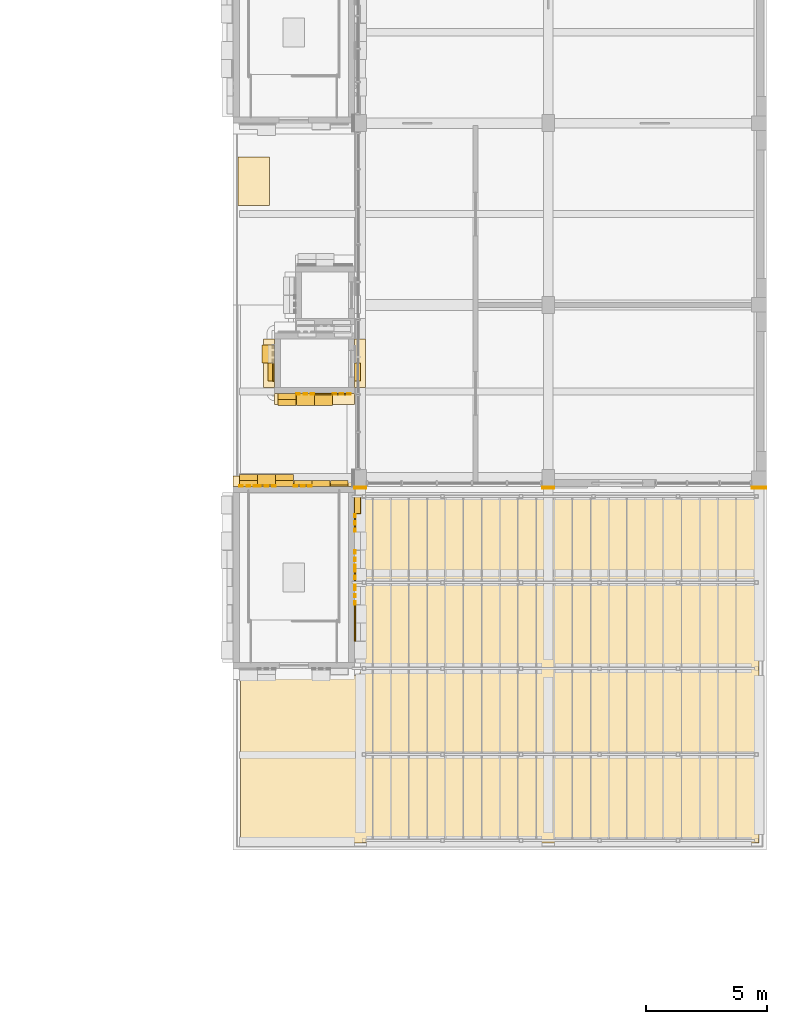
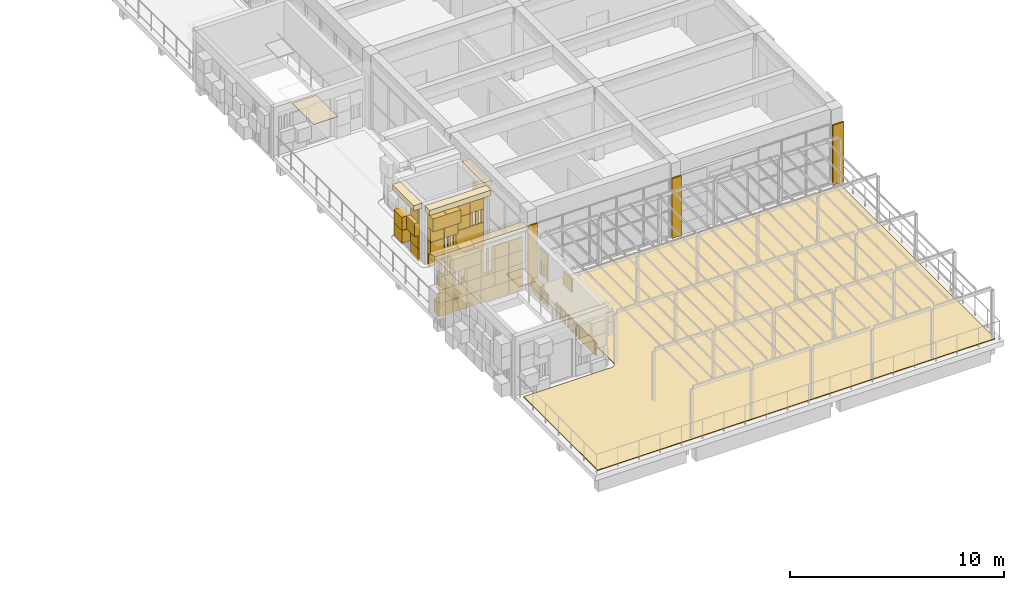
# One storey, part 21 of 26: 26 coverings.
"""IFC4 building model written with IfcOpenShell, lengths in metres."""

import ifcopenshell
import ifcopenshell.guid

model = None  # the IFC model being written
_history = None  # IfcOwnerHistory: only IFC2X3 demands one
_inside = {}  # id of a spatial element -> (the spatial element, [elements in it])
_under = {}  # id of a project, library or spatial element -> (it, [spatial elements below it])
_declared = {}  # id of a project -> (the project, [libraries it declares])
_typed = {}  # id of a type object -> (the type object, [elements of that type])
_made_of = {}  # id of a material, layer set ... -> (it, [elements and type objects made of it])


def new_model(schema):
    """Start an empty IFC model of exactly this schema.

    Asked for "IFC4X3", IfcOpenShell would pick the latest addendum, in which some entities
    have other attributes; the version numbers below select the first issue.
    IFC2X3 requires an IfcOwnerHistory on every rooted entity: one is made here for all.
    """
    global model, _history
    if schema == "IFC4X3":
        model = ifcopenshell.file(schema_version=(4, 3, 0, 0))
    else:
        model = ifcopenshell.file(schema=schema)
    _inside.clear()
    _under.clear()
    _declared.clear()
    _typed.clear()
    _made_of.clear()
    _history = None
    if model.schema == "IFC2X3":
        org = make("IfcOrganization", Name="unknown")
        user = make(
            "IfcPersonAndOrganization",
            ThePerson=make("IfcPerson", FamilyName="unknown"),
            TheOrganization=org,
        )
        app = make(
            "IfcApplication",
            ApplicationDeveloper=org,
            Version="unknown",
            ApplicationFullName="unknown",
            ApplicationIdentifier="unknown",
        )
        _history = make(
            "IfcOwnerHistory",
            OwningUser=user,
            OwningApplication=app,
            ChangeAction="ADDED",
            CreationDate=0,
        )
    return model


def make(cls, **values):
    """One entity of the class cls with the attributes given. An attribute that is None is left unset."""
    return model.create_entity(
        cls, **{name: value for name, value in values.items() if value is not None}
    )


def rooted(cls, **values):
    """An entity with a GlobalId (a new one), such as an element, a storey or a relation."""
    return make(cls, GlobalId=ifcopenshell.guid.new(), OwnerHistory=_history, **values)


def si_unit(unit_type, name, prefix=None):
    """IfcSIUnit, for example si_unit("LENGTHUNIT", "METRE", prefix="MILLI")."""
    return make("IfcSIUnit", UnitType=unit_type, Prefix=prefix, Name=name)


def assignment(units):
    """IfcUnitAssignment: the units of a project."""
    return None if units is None else make("IfcUnitAssignment", Units=units)


def point(xyz):
    """IfcCartesianPoint."""
    return None if xyz is None else make("IfcCartesianPoint", Coordinates=xyz)


def direction(xyz):
    """IfcDirection."""
    return None if xyz is None else make("IfcDirection", DirectionRatios=xyz)


def frame(location, z_axis=None, x_axis=None):
    """IfcAxis2Placement3D, a coordinate frame: its origin and axes. An axis left out is left unset."""
    return make(
        "IfcAxis2Placement3D",
        Location=point(location),
        Axis=direction(z_axis),
        RefDirection=direction(x_axis),
    )


def frame_2d(location, x_axis=None):
    """IfcAxis2Placement2D, a coordinate frame in the plane: its origin and x axis."""
    return make(
        "IfcAxis2Placement2D", Location=point(location), RefDirection=direction(x_axis)
    )


def origin():
    """The frame at (0, 0, 0) with its axes left unset."""
    return frame((0.0, 0.0, 0.0))


def origin_2d():
    """The frame at (0, 0) in the plane with its x axis left unset."""
    return frame_2d((0.0, 0.0))


def place(relative_to, where):
    """IfcLocalPlacement: puts the frame where relative to a parent placement (None: the world)."""
    return make(
        "IfcLocalPlacement", PlacementRelTo=relative_to, RelativePlacement=where
    )


def context(
    kind, dimensions, precision=None, world=None, true_north=None, identifier=None
):
    """IfcGeometricRepresentationContext, for example the 3D "Model" context."""
    return make(
        "IfcGeometricRepresentationContext",
        ContextIdentifier=identifier,
        ContextType=kind,
        CoordinateSpaceDimension=dimensions,
        Precision=precision,
        WorldCoordinateSystem=world,
        TrueNorth=true_north,
    )


def subcontext(parent, identifier, kind, view, scale=None):
    """IfcGeometricRepresentationSubContext, for example "Body" below "Model"."""
    return make(
        "IfcGeometricRepresentationSubContext",
        ContextIdentifier=identifier,
        ContextType=kind,
        ParentContext=parent,
        TargetScale=scale,
        TargetView=view,
    )


def project(units=None, contexts=None):
    """IfcProject with its units and contexts."""
    return rooted(
        "IfcProject",
        Name="project",
        RepresentationContexts=contexts,
        UnitsInContext=assignment(units),
    )


def spatial(cls, under=None, at=None, **own):
    """A site, building, storey or space (cls), placed at a placement, below another one or the project."""
    s = rooted(cls, ObjectPlacement=at, **own)
    if under is not None:
        _under.setdefault(under.id(), (under, []))[1].append(s)
    return s


def polyline(points):
    """IfcPolyline through the points."""
    return make("IfcPolyline", Points=[point(p) for p in points])


def profile(cls, at=None, kind="AREA", **sizes):
    """A parametric profile (cls). Its sizes go by their IFC names, for example OverallWidth=200.0."""
    return make(cls, ProfileType=kind, Position=at, **sizes)


def rectangle(**sizes):
    """IfcRectangleProfileDef."""
    return profile("IfcRectangleProfileDef", **sizes)


def outline(outer, holes=None, kind="AREA"):
    """IfcArbitraryClosedProfileDef: a profile drawn as a closed curve; with holes, ...WithVoids."""
    if holes is None:
        return make("IfcArbitraryClosedProfileDef", ProfileType=kind, OuterCurve=outer)
    return make(
        "IfcArbitraryProfileDefWithVoids",
        ProfileType=kind,
        OuterCurve=outer,
        InnerCurves=holes,
    )


def extrude(swept, where, along, depth):
    """IfcExtrudedAreaSolid: the profile swept, set in the frame where, extruded along a direction by depth."""
    return make(
        "IfcExtrudedAreaSolid",
        SweptArea=swept,
        Position=where,
        ExtrudedDirection=direction(along),
        Depth=depth,
    )


def shape(context_of_items, identifier, shape_type, items):
    """IfcShapeRepresentation: the items that make up one representation, for example the "Body"."""
    return make(
        "IfcShapeRepresentation",
        ContextOfItems=context_of_items,
        RepresentationIdentifier=identifier,
        RepresentationType=shape_type,
        Items=items,
    )


def material(Name=None, Category=None):
    """IfcMaterial."""
    return make("IfcMaterial", Name=Name, Category=Category)


def layer(
    of_material, thickness, ventilated=None, Name=None, Category=None, Priority=None
):
    """IfcMaterialLayer: one layer of a wall or slab, of a material (None: an air gap)."""
    return make(
        "IfcMaterialLayer",
        Material=of_material,
        LayerThickness=thickness,
        IsVentilated=ventilated,
        Name=Name,
        Category=Category,
        Priority=Priority,
    )


def layer_set(layers, Name=None):
    """IfcMaterialLayerSet."""
    return make("IfcMaterialLayerSet", MaterialLayers=layers, LayerSetName=Name)


def made_of(thing, what):
    """Note that an element or type object is made of a material, layer set ...; save() writes the relation."""
    if what is not None:
        _made_of.setdefault(what.id(), (what, []))[1].append(thing)
    return thing


def type_object(cls, material=None, **own):
    """A type object (cls), such as IfcWallType, which elements share."""
    return made_of(rooted(cls, **own), material)


def element(
    cls,
    number,
    at=None,
    inside=None,
    cuts=None,
    type_object=None,
    material=None,
    context=None,
    identifier="Body",
    shape_type=None,
    held_by="IfcProductDefinitionShape",
    body=None,
    shapes=None,
    **own,
):
    """One element of the class cls, such as IfcWall. Its Tag is "e" and its number.

    at: its placement. inside: the storey or other place that contains it. cuts: it is an
    opening in that element (IfcRelVoidsElement). A single representation is given by context,
    identifier, shape_type and body (its items); several are given by shapes. held_by: the class
    of the entity that holds the representations. save() writes the other relations.
    """
    e = rooted(cls, Tag="e%d" % number, ObjectPlacement=at, **own)
    if body is not None:
        shapes = [shape(context, identifier, shape_type, body)]
    if shapes is not None:
        e.Representation = make(held_by, Representations=shapes)
    if inside is not None:
        _inside.setdefault(inside.id(), (inside, []))[1].append(e)
    if cuts is not None:
        rooted(
            "IfcRelVoidsElement", RelatingBuildingElement=cuts, RelatedOpeningElement=e
        )
    if type_object is not None:
        _typed.setdefault(type_object.id(), (type_object, []))[1].append(e)
    return made_of(e, material)


def aggregate(whole, parts):
    """IfcRelAggregates: a whole, such as a stair, and the parts it consists of."""
    return rooted("IfcRelAggregates", RelatingObject=whole, RelatedObjects=parts)


def save(model, path):
    """Write the relations noted so far, then the file.

    IfcRelAggregates (storeys below a building ...), IfcRelContainedInSpatialStructure (elements
    in a storey), IfcRelDefinesByType, IfcRelAssociatesMaterial and IfcRelDeclares: one each for
    every whole, place, type object, material and project.
    """
    for whole, parts in _under.values():
        aggregate(whole, parts)
    for where, things in _inside.values():
        rooted(
            "IfcRelContainedInSpatialStructure",
            RelatedElements=things,
            RelatingStructure=where,
        )
    for kind, things in _typed.values():
        rooted("IfcRelDefinesByType", RelatedObjects=things, RelatingType=kind)
    for what, things in _made_of.values():
        rooted("IfcRelAssociatesMaterial", RelatedObjects=things, RelatingMaterial=what)
    for by, libraries in _declared.values():
        rooted("IfcRelDeclares", RelatingContext=by, RelatedDefinitions=libraries)
    model.write(path)


model = new_model("IFC4")

# Units and contexts
model_context = context("Model", 3, precision=1e-05, world=origin(), true_north=direction((0.0, 1.0)))
body_context = subcontext(model_context, "Body", "Model", "MODEL_VIEW")
ifc_project = project(units=[si_unit("LENGTHUNIT", "METRE"), si_unit("AREAUNIT", "SQUARE_METRE"), si_unit("VOLUMEUNIT", "CUBIC_METRE"), si_unit("PLANEANGLEUNIT", "RADIAN"), si_unit("MASSUNIT", "GRAM", prefix="KILO")], contexts=[model_context])

# Site, building, storey
site_placement = place(None, origin())
site = spatial("IfcSite", under=ifc_project, at=site_placement, CompositionType="ELEMENT")
building_placement = place(site_placement, origin())
building = spatial("IfcBuilding", under=site, at=building_placement, Name="Sun Court Science Centre", CompositionType="ELEMENT")
storey_placement = place(building_placement, frame((0.0, 0.0, 29.25)))
storey = spatial("IfcBuildingStorey", under=building, at=storey_placement, Name="L06", CompositionType="ELEMENT", Elevation=29.25)

# Coverings
ifc_material_1 = material(Name="Gypsum board")
ifc_layer_1 = layer(ifc_material_1, 0.030029296875)
ifc_layer_set_1 = layer_set([ifc_layer_1], Name="Gypsum board")
covering_type_1 = type_object("IfcCoveringType", Name="Ceiling suspended 600 module", PredefinedType="CEILING", material=ifc_layer_set_1)
covering_1_placement = place(storey_placement, frame((0.0, 0.0, 3.77001953125)))
element("IfcCovering", 1, at=covering_1_placement, inside=storey, type_object=covering_type_1, Name="L06-011 ceiling", PredefinedType="CEILING", context=body_context, shape_type="SweptSolid", body=[
    extrude(outline(polyline([(83.5, 57.10009765625), (83.5, 55.10009765625), (82.199951171875, 55.10009765625), (82.199951171875, 57.10009765625), (83.5, 57.10009765625)])), origin(), (0.0, 0.0, 1.0), 0.030029296875),
])
ifc_material_2 = material(Name="Red sandstone", Category="masonry")
ifc_layer_2 = layer(ifc_material_2, 0.080078125)
ifc_layer_set_2 = layer_set([ifc_layer_2], Name="Red sandstone")
covering_type_2 = type_object("IfcCoveringType", Name="Red sandstone pier cladding", PredefinedType="CLADDING", material=ifc_layer_set_2)
covering_2_placement = place(storey_placement, frame((0.0, 0.0, -29.25)))
element("IfcCovering", 2, at=covering_2_placement, inside=storey, type_object=covering_type_2, Name="Red sandstone pier cladding observatory south face L06", PredefinedType="CLADDING", context=body_context, shape_type="SweptSolid", body=[
    extrude(rectangle(XDim=0.60009765625, YDim=0.080078125, at=origin_2d()), frame((103.699951171875, 43.4599609375, 29.25), z_axis=(0.0, 0.0, 1.0), x_axis=(-1.0, 0.0, 0.0)), (0.0, 0.0, 1.0), 3.39990234375),
    extrude(rectangle(XDim=0.5, YDim=0.080078125, at=origin_2d()), frame((95.0, 43.4599609375, 29.25), z_axis=(0.0, 0.0, 1.0), x_axis=(-1.0, 0.0, 0.0)), (0.0, 0.0, 1.0), 3.39990234375),
    extrude(rectangle(XDim=0.5, YDim=0.080078125, at=origin_2d()), frame((87.25, 43.4599609375, 29.25), z_axis=(0.0, 0.0, 1.0), x_axis=(-1.0, 0.0, 0.0)), (0.0, 0.0, 1.0), 3.39990234375),
])
ifc_material_3 = material(Name="Sandstone paving", Category="masonry")
ifc_layer_3 = layer(ifc_material_3, 0.0400390625)
ifc_layer_set_3 = layer_set([ifc_layer_3], Name="Sandstone paving")
covering_type_3 = type_object("IfcCoveringType", Name="Terrace paving 40", PredefinedType="FLOORING", material=ifc_layer_set_3)
covering_3_placement = place(storey_placement, origin())
element("IfcCovering", 3, at=covering_3_placement, inside=storey, type_object=covering_type_3, Name="Observatory terrace paving", PredefinedType="FLOORING", context=body_context, shape_type="SweptSolid", body=[
    extrude(outline(polyline([(82.300048828125, 28.800048828125), (82.300048828125, 35.699951171875), (87.0, 35.699951171875), (87.029296875, 35.701416015625), (87.05859375, 35.705810546875), (87.087158203125, 35.712890625), (87.11474609375, 35.722900390625), (87.141357421875, 35.7353515625), (87.166748046875, 35.75048828125), (87.1904296875, 35.76806640625), (87.212158203125, 35.787841796875), (87.23193359375, 35.8095703125), (87.24951171875, 35.833251953125), (87.2646484375, 35.858642578125), (87.277099609375, 35.88525390625), (87.287109375, 35.912841796875), (87.294189453125, 35.94140625), (87.298583984375, 35.970703125), (87.300048828125, 36.0), (87.300048828125, 43.18994140625), (103.699951171875, 43.18994140625), (103.699951171875, 28.800048828125), (82.300048828125, 28.800048828125)])), origin(), (0.0, 0.0, 1.0), 0.0400390625),
])
ifc_material_4 = material(Name="Terracotta panel", Category="masonry")
ifc_layer_4 = layer(ifc_material_4, 0.449951171875)
ifc_layer_set_4 = layer_set([ifc_layer_4], Name="Terracotta panel")
covering_type_4 = type_object("IfcCoveringType", Name="Terracotta cornice 450", PredefinedType="CLADDING", material=ifc_layer_set_4)
covering_4_placement = place(storey_placement, frame((0.0, 0.0, -29.25)))
element("IfcCovering", 4, at=covering_4_placement, inside=storey, type_object=covering_type_4, Name="Terracotta cornice east face of core L06", PredefinedType="CLADDING", context=body_context, shape_type="SweptSolid", body=[
    extrude(rectangle(XDim=2.0, YDim=0.449951171875, at=origin_2d()), frame((87.22509765625, 48.60009765625, 32.2998046875), z_axis=(0.0, 0.0, 1.0), x_axis=(0.0, -1.0, 0.0)), (0.0, 0.0, 1.0), 0.300048828125),
])
covering_5_placement = place(storey_placement, frame((0.0, 0.0, -29.25)))
element("IfcCovering", 5, at=covering_5_placement, inside=storey, type_object=covering_type_4, Name="Terracotta cornice south face of core L06", PredefinedType="CLADDING", context=body_context, shape_type="SweptSolid", body=[
    extrude(rectangle(XDim=3.300048828125, YDim=0.449951171875, at=origin_2d()), frame((85.35009765625, 47.125, 32.2998046875), z_axis=(0.0, 0.0, 1.0), x_axis=(-1.0, 0.0, 0.0)), (0.0, 0.0, 1.0), 0.300048828125),
])
covering_6_placement = place(storey_placement, frame((0.0, 0.0, -29.25)))
element("IfcCovering", 6, at=covering_6_placement, inside=storey, type_object=covering_type_4, Name="Terracotta cornice west face of core L06", PredefinedType="CLADDING", context=body_context, shape_type="SweptSolid", body=[
    extrude(rectangle(XDim=2.0, YDim=0.449951171875, at=origin_2d()), frame((83.47509765625, 48.60009765625, 32.2998046875), z_axis=(0.0, 0.0, 1.0), x_axis=(0.0, 1.0, 0.0)), (0.0, 0.0, 1.0), 0.300048828125),
])
covering_7_placement = place(storey_placement, frame((0.0, 0.0, -29.25)))
element("IfcCovering", 7, at=covering_7_placement, inside=storey, type_object=covering_type_4, Name="Terracotta cornice north face of core L06", PredefinedType="CLADDING", context=body_context, shape_type="SweptSolid", body=[
    extrude(rectangle(XDim=5.0, YDim=0.449951171875, at=origin_2d()), frame((84.5, 43.72509765625, 32.2998046875), z_axis=(0.0, 0.0, 1.0), x_axis=(1.0, 0.0, 0.0)), (0.0, 0.0, 1.0), 0.300048828125),
])
ifc_material_5 = material(Name="Terracotta jali", Category="masonry")
ifc_layer_5 = layer(ifc_material_5, 0.06005859375)
ifc_layer_set_5 = layer_set([ifc_layer_5], Name="Terracotta jali")
covering_type_5 = type_object("IfcCoveringType", Name="Terracotta open jali panel", PredefinedType="CLADDING", material=ifc_layer_set_5)
covering_8_placement = place(storey_placement, frame((0.0, 0.0, -29.25)))
element("IfcCovering", 8, at=covering_8_placement, inside=storey, type_object=covering_type_5, Name="Open jali pixel cladding south face of core L06", PredefinedType="CLADDING", context=body_context, shape_type="SweptSolid", body=[
    extrude(rectangle(XDim=0.139892578125, YDim=0.06005859375, at=origin_2d()), frame((85.27490234375, 47.320068359375, 29.85498046875), z_axis=(0.0, 0.0, 1.0), x_axis=(-1.0, 0.0, 0.0)), (0.0, 0.0, 1.0), 0.739990234375),
    extrude(rectangle(XDim=0.139892578125, YDim=0.06005859375, at=origin_2d()), frame((84.97509765625, 47.320068359375, 29.85498046875), z_axis=(0.0, 0.0, 1.0), x_axis=(-1.0, 0.0, 0.0)), (0.0, 0.0, 1.0), 0.739990234375),
    extrude(rectangle(XDim=0.139892578125, YDim=0.06005859375, at=origin_2d()), frame((84.675048828125, 47.320068359375, 29.85498046875), z_axis=(0.0, 0.0, 1.0), x_axis=(-1.0, 0.0, 0.0)), (0.0, 0.0, 1.0), 0.739990234375),
    extrude(rectangle(XDim=0.139892578125, YDim=0.06005859375, at=origin_2d()), frame((86.77490234375, 47.320068359375, 30.60498046875), z_axis=(0.0, 0.0, 1.0), x_axis=(-1.0, 0.0, 0.0)), (0.0, 0.0, 1.0), 0.739990234375),
    extrude(rectangle(XDim=0.139892578125, YDim=0.06005859375, at=origin_2d()), frame((86.47509765625, 47.320068359375, 30.60498046875), z_axis=(0.0, 0.0, 1.0), x_axis=(-1.0, 0.0, 0.0)), (0.0, 0.0, 1.0), 0.739990234375),
    extrude(rectangle(XDim=0.139892578125, YDim=0.06005859375, at=origin_2d()), frame((86.175048828125, 47.320068359375, 30.60498046875), z_axis=(0.0, 0.0, 1.0), x_axis=(-1.0, 0.0, 0.0)), (0.0, 0.0, 1.0), 0.739990234375),
])
covering_9_placement = place(storey_placement, frame((0.0, 0.0, -29.25)))
element("IfcCovering", 9, at=covering_9_placement, inside=storey, type_object=covering_type_5, Name="Open jali pixel cladding east face of core L06", PredefinedType="CLADDING", context=body_context, shape_type="SweptSolid", body=[
    extrude(rectangle(XDim=0.139892578125, YDim=0.06005859375, at=origin_2d()), frame((87.030029296875, 42.300048828125, 29.10498046875), z_axis=(0.0, 0.0, 1.0), x_axis=(0.0, -1.0, 0.0)), (0.0, 0.0, 1.0), 0.739990234375),
    extrude(rectangle(XDim=0.139892578125, YDim=0.06005859375, at=origin_2d()), frame((87.030029296875, 42.0, 29.10498046875), z_axis=(0.0, 0.0, 1.0), x_axis=(0.0, -1.0, 0.0)), (0.0, 0.0, 1.0), 0.739990234375),
    extrude(rectangle(XDim=0.139892578125, YDim=0.06005859375, at=origin_2d()), frame((87.030029296875, 41.699951171875, 29.10498046875), z_axis=(0.0, 0.0, 1.0), x_axis=(0.0, -1.0, 0.0)), (0.0, 0.0, 1.0), 0.739990234375),
    extrude(rectangle(XDim=0.139892578125, YDim=0.06005859375, at=origin_2d()), frame((87.030029296875, 40.800048828125, 29.10498046875), z_axis=(0.0, 0.0, 1.0), x_axis=(0.0, -1.0, 0.0)), (0.0, 0.0, 1.0), 0.739990234375),
    extrude(rectangle(XDim=0.139892578125, YDim=0.06005859375, at=origin_2d()), frame((87.030029296875, 40.5, 29.10498046875), z_axis=(0.0, 0.0, 1.0), x_axis=(0.0, -1.0, 0.0)), (0.0, 0.0, 1.0), 0.739990234375),
    extrude(rectangle(XDim=0.139892578125, YDim=0.06005859375, at=origin_2d()), frame((87.030029296875, 40.199951171875, 29.10498046875), z_axis=(0.0, 0.0, 1.0), x_axis=(0.0, -1.0, 0.0)), (0.0, 0.0, 1.0), 0.739990234375),
    extrude(rectangle(XDim=0.139892578125, YDim=0.06005859375, at=origin_2d()), frame((87.030029296875, 40.050048828125, 29.10498046875), z_axis=(0.0, 0.0, 1.0), x_axis=(0.0, -1.0, 0.0)), (0.0, 0.0, 1.0), 0.739990234375),
    extrude(rectangle(XDim=0.139892578125, YDim=0.06005859375, at=origin_2d()), frame((87.030029296875, 39.75, 29.10498046875), z_axis=(0.0, 0.0, 1.0), x_axis=(0.0, -1.0, 0.0)), (0.0, 0.0, 1.0), 0.739990234375),
    extrude(rectangle(XDim=0.139892578125, YDim=0.06005859375, at=origin_2d()), frame((87.030029296875, 39.449951171875, 29.10498046875), z_axis=(0.0, 0.0, 1.0), x_axis=(0.0, -1.0, 0.0)), (0.0, 0.0, 1.0), 0.739990234375),
    extrude(rectangle(XDim=0.139892578125, YDim=0.06005859375, at=origin_2d()), frame((87.030029296875, 39.300048828125, 29.10498046875), z_axis=(0.0, 0.0, 1.0), x_axis=(0.0, -1.0, 0.0)), (0.0, 0.0, 1.0), 0.739990234375),
    extrude(rectangle(XDim=0.139892578125, YDim=0.06005859375, at=origin_2d()), frame((87.030029296875, 39.0, 29.10498046875), z_axis=(0.0, 0.0, 1.0), x_axis=(0.0, -1.0, 0.0)), (0.0, 0.0, 1.0), 0.739990234375),
    extrude(rectangle(XDim=0.139892578125, YDim=0.06005859375, at=origin_2d()), frame((87.030029296875, 38.699951171875, 29.10498046875), z_axis=(0.0, 0.0, 1.0), x_axis=(0.0, -1.0, 0.0)), (0.0, 0.0, 1.0), 0.739990234375),
    extrude(rectangle(XDim=0.139892578125, YDim=0.06005859375, at=origin_2d()), frame((87.030029296875, 42.300048828125, 30.60498046875), z_axis=(0.0, 0.0, 1.0), x_axis=(0.0, -1.0, 0.0)), (0.0, 0.0, 1.0), 0.739990234375),
    extrude(rectangle(XDim=0.139892578125, YDim=0.06005859375, at=origin_2d()), frame((87.030029296875, 42.0, 30.60498046875), z_axis=(0.0, 0.0, 1.0), x_axis=(0.0, -1.0, 0.0)), (0.0, 0.0, 1.0), 0.739990234375),
    extrude(rectangle(XDim=0.139892578125, YDim=0.06005859375, at=origin_2d()), frame((87.030029296875, 41.699951171875, 30.60498046875), z_axis=(0.0, 0.0, 1.0), x_axis=(0.0, -1.0, 0.0)), (0.0, 0.0, 1.0), 0.739990234375),
])
covering_10_placement = place(storey_placement, frame((0.0, 0.0, -29.25)))
element("IfcCovering", 10, at=covering_10_placement, inside=storey, type_object=covering_type_5, Name="Open jali pixel cladding north face of core L06", PredefinedType="CLADDING", context=body_context, shape_type="SweptSolid", body=[
    extrude(rectangle(XDim=0.139892578125, YDim=0.06005859375, at=origin_2d()), frame((83.074951171875, 43.530029296875, 30.60498046875), z_axis=(0.0, 0.0, 1.0), x_axis=(1.0, 0.0, 0.0)), (0.0, 0.0, 1.0), 0.739990234375),
    extrude(rectangle(XDim=0.139892578125, YDim=0.06005859375, at=origin_2d()), frame((83.375, 43.530029296875, 30.60498046875), z_axis=(0.0, 0.0, 1.0), x_axis=(1.0, 0.0, 0.0)), (0.0, 0.0, 1.0), 0.739990234375),
    extrude(rectangle(XDim=0.139892578125, YDim=0.06005859375, at=origin_2d()), frame((83.675048828125, 43.530029296875, 30.60498046875), z_axis=(0.0, 0.0, 1.0), x_axis=(1.0, 0.0, 0.0)), (0.0, 0.0, 1.0), 0.739990234375),
    extrude(rectangle(XDim=0.139892578125, YDim=0.06005859375, at=origin_2d()), frame((84.574951171875, 43.530029296875, 30.60498046875), z_axis=(0.0, 0.0, 1.0), x_axis=(1.0, 0.0, 0.0)), (0.0, 0.0, 1.0), 0.739990234375),
    extrude(rectangle(XDim=0.139892578125, YDim=0.06005859375, at=origin_2d()), frame((84.875, 43.530029296875, 30.60498046875), z_axis=(0.0, 0.0, 1.0), x_axis=(1.0, 0.0, 0.0)), (0.0, 0.0, 1.0), 0.739990234375),
    extrude(rectangle(XDim=0.139892578125, YDim=0.06005859375, at=origin_2d()), frame((85.175048828125, 43.530029296875, 30.60498046875), z_axis=(0.0, 0.0, 1.0), x_axis=(1.0, 0.0, 0.0)), (0.0, 0.0, 1.0), 0.739990234375),
    extrude(rectangle(XDim=0.139892578125, YDim=0.06005859375, at=origin_2d()), frame((82.324951171875, 43.530029296875, 31.35498046875), z_axis=(0.0, 0.0, 1.0), x_axis=(1.0, 0.0, 0.0)), (0.0, 0.0, 1.0), 0.739990234375),
    extrude(rectangle(XDim=0.139892578125, YDim=0.06005859375, at=origin_2d()), frame((82.625, 43.530029296875, 31.35498046875), z_axis=(0.0, 0.0, 1.0), x_axis=(1.0, 0.0, 0.0)), (0.0, 0.0, 1.0), 0.739990234375),
    extrude(rectangle(XDim=0.139892578125, YDim=0.06005859375, at=origin_2d()), frame((82.925048828125, 43.530029296875, 31.35498046875), z_axis=(0.0, 0.0, 1.0), x_axis=(1.0, 0.0, 0.0)), (0.0, 0.0, 1.0), 0.739990234375),
    extrude(rectangle(XDim=0.139892578125, YDim=0.06005859375, at=origin_2d()), frame((84.574951171875, 43.530029296875, 31.35498046875), z_axis=(0.0, 0.0, 1.0), x_axis=(1.0, 0.0, 0.0)), (0.0, 0.0, 1.0), 0.739990234375),
    extrude(rectangle(XDim=0.139892578125, YDim=0.06005859375, at=origin_2d()), frame((84.875, 43.530029296875, 31.35498046875), z_axis=(0.0, 0.0, 1.0), x_axis=(1.0, 0.0, 0.0)), (0.0, 0.0, 1.0), 0.739990234375),
    extrude(rectangle(XDim=0.139892578125, YDim=0.06005859375, at=origin_2d()), frame((85.175048828125, 43.530029296875, 31.35498046875), z_axis=(0.0, 0.0, 1.0), x_axis=(1.0, 0.0, 0.0)), (0.0, 0.0, 1.0), 0.739990234375),
])
ifc_material_6 = material(Name="Terracotta shade 1", Category="masonry")
ifc_layer_6 = layer(ifc_material_6, 0.06005859375)
ifc_layer_set_6 = layer_set([ifc_layer_6], Name="Terracotta shade 1")
covering_type_6 = type_object("IfcCoveringType", Name="Terracotta pixel panel shade 1", PredefinedType="CLADDING", material=ifc_layer_set_6)
covering_11_placement = place(storey_placement, frame((0.0, 0.0, -29.25)))
element("IfcCovering", 11, at=covering_11_placement, inside=storey, type_object=covering_type_6, Name="Terracotta pixel cladding shade 1 south face of core L06", PredefinedType="CLADDING", context=body_context, shape_type="SweptSolid", body=[
    extrude(rectangle(XDim=0.739990234375, YDim=0.06005859375, at=origin_2d()), frame((86.47509765625, 47.320068359375, 29.10498046875), z_axis=(0.0, 0.0, 1.0), x_axis=(-1.0, 0.0, 0.0)), (0.0, 0.0, 1.0), 0.739990234375),
    extrude(rectangle(XDim=0.739990234375, YDim=0.06005859375, at=origin_2d()), frame((85.72509765625, 47.320068359375, 30.60498046875), z_axis=(0.0, 0.0, 1.0), x_axis=(-1.0, 0.0, 0.0)), (0.0, 0.0, 1.0), 0.739990234375),
    extrude(rectangle(XDim=0.739990234375, YDim=0.260009765625, at=origin_2d()), frame((84.22509765625, 47.219970703125, 30.60498046875), z_axis=(0.0, 0.0, 1.0), x_axis=(-1.0, 0.0, 0.0)), (0.0, 0.0, 1.0), 0.739990234375),
    extrude(rectangle(XDim=0.739990234375, YDim=0.06005859375, at=origin_2d()), frame((86.47509765625, 47.320068359375, 31.35498046875), z_axis=(0.0, 0.0, 1.0), x_axis=(-1.0, 0.0, 0.0)), (0.0, 0.0, 1.0), 0.739990234375),
    extrude(rectangle(XDim=0.739990234375, YDim=0.06005859375, at=origin_2d()), frame((84.22509765625, 47.320068359375, 29.10498046875), z_axis=(0.0, 0.0, 1.0), x_axis=(-1.0, 0.0, 0.0)), (0.0, 0.0, 1.0), 0.739990234375),
])
covering_12_placement = place(storey_placement, frame((0.0, 0.0, -29.25)))
element("IfcCovering", 12, at=covering_12_placement, inside=storey, type_object=covering_type_6, Name="Terracotta pixel cladding shade 1 west face of core L06", PredefinedType="CLADDING", context=body_context, shape_type="SweptSolid", body=[
    extrude(rectangle(XDim=0.739990234375, YDim=0.06005859375, at=origin_2d()), frame((83.669921875, 48.22509765625, 29.10498046875), z_axis=(0.0, 0.0, 1.0), x_axis=(0.0, 1.0, 0.0)), (0.0, 0.0, 1.0), 0.739990234375),
    extrude(rectangle(XDim=0.739990234375, YDim=0.510009765625, at=origin_2d()), frame((83.445068359375, 48.97509765625, 30.60498046875), z_axis=(0.0, 0.0, 1.0), x_axis=(0.0, 1.0, 0.0)), (0.0, 0.0, 1.0), 0.739990234375),
])
covering_13_placement = place(storey_placement, frame((0.0, 0.0, -29.25)))
element("IfcCovering", 13, at=covering_13_placement, inside=storey, type_object=covering_type_6, Name="Terracotta pixel cladding shade 1 north face of core L06", PredefinedType="CLADDING", context=body_context, shape_type="SweptSolid", body=[
    extrude(rectangle(XDim=0.739990234375, YDim=0.510009765625, at=origin_2d()), frame((82.625, 43.7548828125, 29.10498046875), z_axis=(0.0, 0.0, 1.0), x_axis=(1.0, 0.0, 0.0)), (0.0, 0.0, 1.0), 0.739990234375),
    extrude(rectangle(XDim=0.739990234375, YDim=0.06005859375, at=origin_2d()), frame((83.375, 43.530029296875, 29.85498046875), z_axis=(0.0, 0.0, 1.0), x_axis=(1.0, 0.0, 0.0)), (0.0, 0.0, 1.0), 0.739990234375),
    extrude(rectangle(XDim=0.739990234375, YDim=0.260009765625, at=origin_2d()), frame((84.875, 43.6298828125, 29.85498046875), z_axis=(0.0, 0.0, 1.0), x_axis=(1.0, 0.0, 0.0)), (0.0, 0.0, 1.0), 0.739990234375),
    extrude(rectangle(XDim=0.739990234375, YDim=0.510009765625, at=origin_2d()), frame((83.375, 43.7548828125, 31.35498046875), z_axis=(0.0, 0.0, 1.0), x_axis=(1.0, 0.0, 0.0)), (0.0, 0.0, 1.0), 0.739990234375),
    extrude(rectangle(XDim=0.739990234375, YDim=0.260009765625, at=origin_2d()), frame((84.125, 43.6298828125, 31.35498046875), z_axis=(0.0, 0.0, 1.0), x_axis=(1.0, 0.0, 0.0)), (0.0, 0.0, 1.0), 0.739990234375),
    extrude(rectangle(XDim=0.739990234375, YDim=0.06005859375, at=origin_2d()), frame((86.375, 43.530029296875, 31.35498046875), z_axis=(0.0, 0.0, 1.0), x_axis=(1.0, 0.0, 0.0)), (0.0, 0.0, 1.0), 0.739990234375),
    extrude(rectangle(XDim=0.739990234375, YDim=0.06005859375, at=origin_2d()), frame((82.625, 43.530029296875, 29.85498046875), z_axis=(0.0, 0.0, 1.0), x_axis=(1.0, 0.0, 0.0)), (0.0, 0.0, 1.0), 0.739990234375),
])
ifc_material_7 = material(Name="Terracotta shade 2", Category="masonry")
ifc_layer_7 = layer(ifc_material_7, 0.06005859375)
ifc_layer_set_7 = layer_set([ifc_layer_7], Name="Terracotta shade 2")
covering_type_7 = type_object("IfcCoveringType", Name="Terracotta pixel panel shade 2", PredefinedType="CLADDING", material=ifc_layer_set_7)
covering_14_placement = place(storey_placement, frame((0.0, 0.0, -29.25)))
element("IfcCovering", 14, at=covering_14_placement, inside=storey, type_object=covering_type_7, Name="Terracotta pixel cladding shade 2 south face of core L06", PredefinedType="CLADDING", context=body_context, shape_type="SweptSolid", body=[
    extrude(rectangle(XDim=0.739990234375, YDim=0.510009765625, at=origin_2d()), frame((85.72509765625, 47.094970703125, 29.10498046875), z_axis=(0.0, 0.0, 1.0), x_axis=(-1.0, 0.0, 0.0)), (0.0, 0.0, 1.0), 0.739990234375),
    extrude(rectangle(XDim=0.739990234375, YDim=0.260009765625, at=origin_2d()), frame((84.97509765625, 47.219970703125, 29.10498046875), z_axis=(0.0, 0.0, 1.0), x_axis=(-1.0, 0.0, 0.0)), (0.0, 0.0, 1.0), 0.739990234375),
    extrude(rectangle(XDim=0.739990234375, YDim=0.260009765625, at=origin_2d()), frame((84.97509765625, 47.219970703125, 30.60498046875), z_axis=(0.0, 0.0, 1.0), x_axis=(-1.0, 0.0, 0.0)), (0.0, 0.0, 1.0), 0.739990234375),
])
covering_15_placement = place(storey_placement, frame((0.0, 0.0, -29.25)))
element("IfcCovering", 15, at=covering_15_placement, inside=storey, type_object=covering_type_7, Name="Terracotta pixel cladding shade 2 west face of core L06", PredefinedType="CLADDING", context=body_context, shape_type="SweptSolid", body=[
    extrude(rectangle(XDim=0.739990234375, YDim=0.06005859375, at=origin_2d()), frame((83.669921875, 48.22509765625, 29.85498046875), z_axis=(0.0, 0.0, 1.0), x_axis=(0.0, 1.0, 0.0)), (0.0, 0.0, 1.0), 0.739990234375),
    extrude(rectangle(XDim=0.739990234375, YDim=0.510009765625, at=origin_2d()), frame((83.445068359375, 48.97509765625, 29.85498046875), z_axis=(0.0, 0.0, 1.0), x_axis=(0.0, 1.0, 0.0)), (0.0, 0.0, 1.0), 0.739990234375),
])
covering_16_placement = place(storey_placement, frame((0.0, 0.0, -29.25)))
element("IfcCovering", 16, at=covering_16_placement, inside=storey, type_object=covering_type_7, Name="Terracotta pixel cladding shade 2 north face of core L06", PredefinedType="CLADDING", context=body_context, shape_type="SweptSolid", body=[
    extrude(rectangle(XDim=0.739990234375, YDim=0.06005859375, at=origin_2d()), frame((83.375, 43.530029296875, 29.10498046875), z_axis=(0.0, 0.0, 1.0), x_axis=(1.0, 0.0, 0.0)), (0.0, 0.0, 1.0), 0.739990234375),
    extrude(rectangle(XDim=0.739990234375, YDim=0.260009765625, at=origin_2d()), frame((86.375, 43.6298828125, 29.10498046875), z_axis=(0.0, 0.0, 1.0), x_axis=(1.0, 0.0, 0.0)), (0.0, 0.0, 1.0), 0.739990234375),
    extrude(rectangle(XDim=0.739990234375, YDim=0.06005859375, at=origin_2d()), frame((84.125, 43.530029296875, 30.60498046875), z_axis=(0.0, 0.0, 1.0), x_axis=(1.0, 0.0, 0.0)), (0.0, 0.0, 1.0), 0.739990234375),
    extrude(rectangle(XDim=0.739990234375, YDim=0.06005859375, at=origin_2d()), frame((86.375, 43.530029296875, 30.60498046875), z_axis=(0.0, 0.0, 1.0), x_axis=(1.0, 0.0, 0.0)), (0.0, 0.0, 1.0), 0.739990234375),
    extrude(rectangle(XDim=0.739990234375, YDim=0.06005859375, at=origin_2d()), frame((85.625, 43.530029296875, 31.35498046875), z_axis=(0.0, 0.0, 1.0), x_axis=(1.0, 0.0, 0.0)), (0.0, 0.0, 1.0), 0.739990234375),
])
ifc_material_8 = material(Name="Terracotta shade 3", Category="masonry")
ifc_layer_8 = layer(ifc_material_8, 0.06005859375)
ifc_layer_set_8 = layer_set([ifc_layer_8], Name="Terracotta shade 3")
covering_type_8 = type_object("IfcCoveringType", Name="Terracotta pixel panel shade 3", PredefinedType="CLADDING", material=ifc_layer_set_8)
covering_17_placement = place(storey_placement, frame((0.0, 0.0, -29.25)))
element("IfcCovering", 17, at=covering_17_placement, inside=storey, type_object=covering_type_8, Name="Terracotta pixel cladding shade 3 south face of core L06", PredefinedType="CLADDING", context=body_context, shape_type="SweptSolid", body=[
    extrude(rectangle(XDim=0.739990234375, YDim=0.260009765625, at=origin_2d()), frame((84.22509765625, 47.219970703125, 29.85498046875), z_axis=(0.0, 0.0, 1.0), x_axis=(-1.0, 0.0, 0.0)), (0.0, 0.0, 1.0), 0.739990234375),
    extrude(rectangle(XDim=0.739990234375, YDim=0.06005859375, at=origin_2d()), frame((85.72509765625, 47.320068359375, 31.35498046875), z_axis=(0.0, 0.0, 1.0), x_axis=(-1.0, 0.0, 0.0)), (0.0, 0.0, 1.0), 0.739990234375),
])
covering_18_placement = place(storey_placement, frame((0.0, 0.0, -29.25)))
element("IfcCovering", 18, at=covering_18_placement, inside=storey, type_object=covering_type_8, Name="Terracotta pixel cladding shade 3 west face of core L06", PredefinedType="CLADDING", context=body_context, shape_type="SweptSolid", body=[
    extrude(rectangle(XDim=0.739990234375, YDim=0.06005859375, at=origin_2d()), frame((83.669921875, 48.22509765625, 31.35498046875), z_axis=(0.0, 0.0, 1.0), x_axis=(0.0, 1.0, 0.0)), (0.0, 0.0, 1.0), 0.739990234375),
])
covering_19_placement = place(storey_placement, frame((0.0, 0.0, -29.25)))
element("IfcCovering", 19, at=covering_19_placement, inside=storey, type_object=covering_type_8, Name="Terracotta pixel cladding shade 3 north face of core L06", PredefinedType="CLADDING", context=body_context, shape_type="SweptSolid", body=[
    extrude(rectangle(XDim=0.739990234375, YDim=0.510009765625, at=origin_2d()), frame((84.125, 43.7548828125, 29.85498046875), z_axis=(0.0, 0.0, 1.0), x_axis=(1.0, 0.0, 0.0)), (0.0, 0.0, 1.0), 0.739990234375),
    extrude(rectangle(XDim=0.739990234375, YDim=0.06005859375, at=origin_2d()), frame((85.625, 43.530029296875, 29.85498046875), z_axis=(0.0, 0.0, 1.0), x_axis=(1.0, 0.0, 0.0)), (0.0, 0.0, 1.0), 0.739990234375),
    extrude(rectangle(XDim=0.739990234375, YDim=0.260009765625, at=origin_2d()), frame((82.625, 43.6298828125, 30.60498046875), z_axis=(0.0, 0.0, 1.0), x_axis=(1.0, 0.0, 0.0)), (0.0, 0.0, 1.0), 0.739990234375),
    extrude(rectangle(XDim=0.739990234375, YDim=0.06005859375, at=origin_2d()), frame((85.625, 43.530029296875, 30.60498046875), z_axis=(0.0, 0.0, 1.0), x_axis=(1.0, 0.0, 0.0)), (0.0, 0.0, 1.0), 0.739990234375),
])
ifc_material_9 = material(Name="Terracotta shade 4", Category="masonry")
ifc_layer_9 = layer(ifc_material_9, 0.06005859375)
ifc_layer_set_9 = layer_set([ifc_layer_9], Name="Terracotta shade 4")
covering_type_9 = type_object("IfcCoveringType", Name="Terracotta pixel panel shade 4", PredefinedType="CLADDING", material=ifc_layer_set_9)
covering_20_placement = place(storey_placement, frame((0.0, 0.0, -29.25)))
element("IfcCovering", 20, at=covering_20_placement, inside=storey, type_object=covering_type_9, Name="Terracotta pixel cladding shade 4 south face of core L06", PredefinedType="CLADDING", context=body_context, shape_type="SweptSolid", body=[
    extrude(rectangle(XDim=0.739990234375, YDim=0.06005859375, at=origin_2d()), frame((86.47509765625, 47.320068359375, 29.85498046875), z_axis=(0.0, 0.0, 1.0), x_axis=(-1.0, 0.0, 0.0)), (0.0, 0.0, 1.0), 0.739990234375),
    extrude(rectangle(XDim=0.739990234375, YDim=0.06005859375, at=origin_2d()), frame((85.72509765625, 47.320068359375, 29.85498046875), z_axis=(0.0, 0.0, 1.0), x_axis=(-1.0, 0.0, 0.0)), (0.0, 0.0, 1.0), 0.739990234375),
])
covering_21_placement = place(storey_placement, frame((0.0, 0.0, -29.25)))
element("IfcCovering", 21, at=covering_21_placement, inside=storey, type_object=covering_type_9, Name="Terracotta pixel cladding shade 4 east face of core L06", PredefinedType="CLADDING", context=body_context, shape_type="SweptSolid", body=[
    extrude(rectangle(XDim=0.739990234375, YDim=0.260009765625, at=origin_2d()), frame((87.1298828125, 42.75, 29.10498046875), z_axis=(0.0, 0.0, 1.0), x_axis=(0.0, -1.0, 0.0)), (0.0, 0.0, 1.0), 0.739990234375),
    extrude(rectangle(XDim=0.739990234375, YDim=0.06005859375, at=origin_2d()), frame((87.030029296875, 38.25, 29.10498046875), z_axis=(0.0, 0.0, 1.0), x_axis=(0.0, -1.0, 0.0)), (0.0, 0.0, 1.0), 0.739990234375),
    extrude(rectangle(XDim=0.739990234375, YDim=0.06005859375, at=origin_2d()), frame((87.030029296875, 37.5, 29.10498046875), z_axis=(0.0, 0.0, 1.0), x_axis=(0.0, -1.0, 0.0)), (0.0, 0.0, 1.0), 0.739990234375),
    extrude(rectangle(XDim=0.739990234375, YDim=0.06005859375, at=origin_2d()), frame((87.030029296875, 42.0, 31.35498046875), z_axis=(0.0, 0.0, 1.0), x_axis=(0.0, -1.0, 0.0)), (0.0, 0.0, 1.0), 0.739990234375),
    extrude(rectangle(XDim=0.739990234375, YDim=0.06005859375, at=origin_2d()), frame((87.030029296875, 39.75, 31.35498046875), z_axis=(0.0, 0.0, 1.0), x_axis=(0.0, -1.0, 0.0)), (0.0, 0.0, 1.0), 0.739990234375),
])
covering_22_placement = place(storey_placement, frame((0.0, 0.0, -29.25)))
element("IfcCovering", 22, at=covering_22_placement, inside=storey, type_object=covering_type_9, Name="Terracotta pixel cladding shade 4 north face of core L06", PredefinedType="CLADDING", context=body_context, shape_type="SweptSolid", body=[
    extrude(rectangle(XDim=0.739990234375, YDim=0.06005859375, at=origin_2d()), frame((84.875, 43.530029296875, 29.10498046875), z_axis=(0.0, 0.0, 1.0), x_axis=(1.0, 0.0, 0.0)), (0.0, 0.0, 1.0), 0.739990234375),
    extrude(rectangle(XDim=0.739990234375, YDim=0.260009765625, at=origin_2d()), frame((85.625, 43.6298828125, 29.10498046875), z_axis=(0.0, 0.0, 1.0), x_axis=(1.0, 0.0, 0.0)), (0.0, 0.0, 1.0), 0.739990234375),
    extrude(rectangle(XDim=0.739990234375, YDim=0.06005859375, at=origin_2d()), frame((86.375, 43.530029296875, 29.85498046875), z_axis=(0.0, 0.0, 1.0), x_axis=(1.0, 0.0, 0.0)), (0.0, 0.0, 1.0), 0.739990234375),
])
ifc_material_10 = material(Name="Terracotta shade 5", Category="masonry")
ifc_layer_10 = layer(ifc_material_10, 0.06005859375)
ifc_layer_set_10 = layer_set([ifc_layer_10], Name="Terracotta shade 5")
covering_type_10 = type_object("IfcCoveringType", Name="Terracotta pixel panel shade 5", PredefinedType="CLADDING", material=ifc_layer_set_10)
covering_23_placement = place(storey_placement, frame((0.0, 0.0, -29.25)))
element("IfcCovering", 23, at=covering_23_placement, inside=storey, type_object=covering_type_10, Name="Terracotta pixel cladding shade 5 east face of core L06", PredefinedType="CLADDING", context=body_context, shape_type="SweptSolid", body=[
    extrude(rectangle(XDim=0.739990234375, YDim=0.260009765625, at=origin_2d()), frame((87.1298828125, 48.22509765625, 31.35498046875), z_axis=(0.0, 0.0, 1.0), x_axis=(0.0, -1.0, 0.0)), (0.0, 0.0, 1.0), 0.739990234375),
])
covering_24_placement = place(storey_placement, frame((0.0, 0.0, -29.25)))
element("IfcCovering", 24, at=covering_24_placement, inside=storey, type_object=covering_type_10, Name="Terracotta pixel cladding shade 5 south face of core L06", PredefinedType="CLADDING", context=body_context, shape_type="SweptSolid", body=[
    extrude(rectangle(XDim=0.739990234375, YDim=0.510009765625, at=origin_2d()), frame((84.97509765625, 47.094970703125, 31.35498046875), z_axis=(0.0, 0.0, 1.0), x_axis=(-1.0, 0.0, 0.0)), (0.0, 0.0, 1.0), 0.739990234375),
    extrude(rectangle(XDim=0.739990234375, YDim=0.510009765625, at=origin_2d()), frame((84.22509765625, 47.094970703125, 31.35498046875), z_axis=(0.0, 0.0, 1.0), x_axis=(-1.0, 0.0, 0.0)), (0.0, 0.0, 1.0), 0.739990234375),
])
covering_25_placement = place(storey_placement, frame((0.0, 0.0, -29.25)))
element("IfcCovering", 25, at=covering_25_placement, inside=storey, type_object=covering_type_10, Name="Terracotta pixel cladding shade 5 west face of core L06", PredefinedType="CLADDING", context=body_context, shape_type="SweptSolid", body=[
    extrude(rectangle(XDim=0.739990234375, YDim=0.260009765625, at=origin_2d()), frame((83.570068359375, 48.22509765625, 30.60498046875), z_axis=(0.0, 0.0, 1.0), x_axis=(0.0, 1.0, 0.0)), (0.0, 0.0, 1.0), 0.739990234375),
])
covering_26_placement = place(storey_placement, frame((0.0, 0.0, -29.25)))
element("IfcCovering", 26, at=covering_26_placement, inside=storey, type_object=covering_type_10, Name="Terracotta pixel cladding shade 5 north face of core L06", PredefinedType="CLADDING", context=body_context, shape_type="SweptSolid", body=[
    extrude(rectangle(XDim=0.739990234375, YDim=0.260009765625, at=origin_2d()), frame((84.125, 43.6298828125, 29.10498046875), z_axis=(0.0, 0.0, 1.0), x_axis=(1.0, 0.0, 0.0)), (0.0, 0.0, 1.0), 0.739990234375),
])

save(model, "model.ifc")
